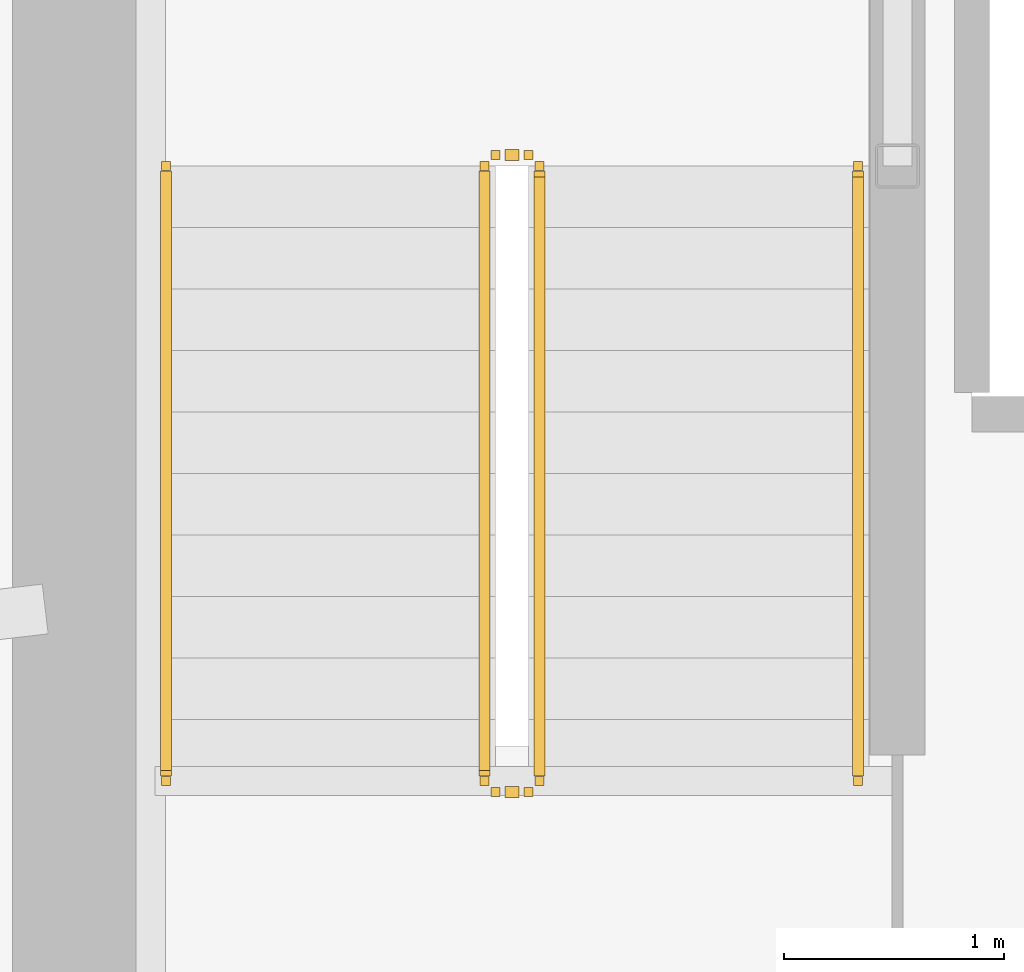
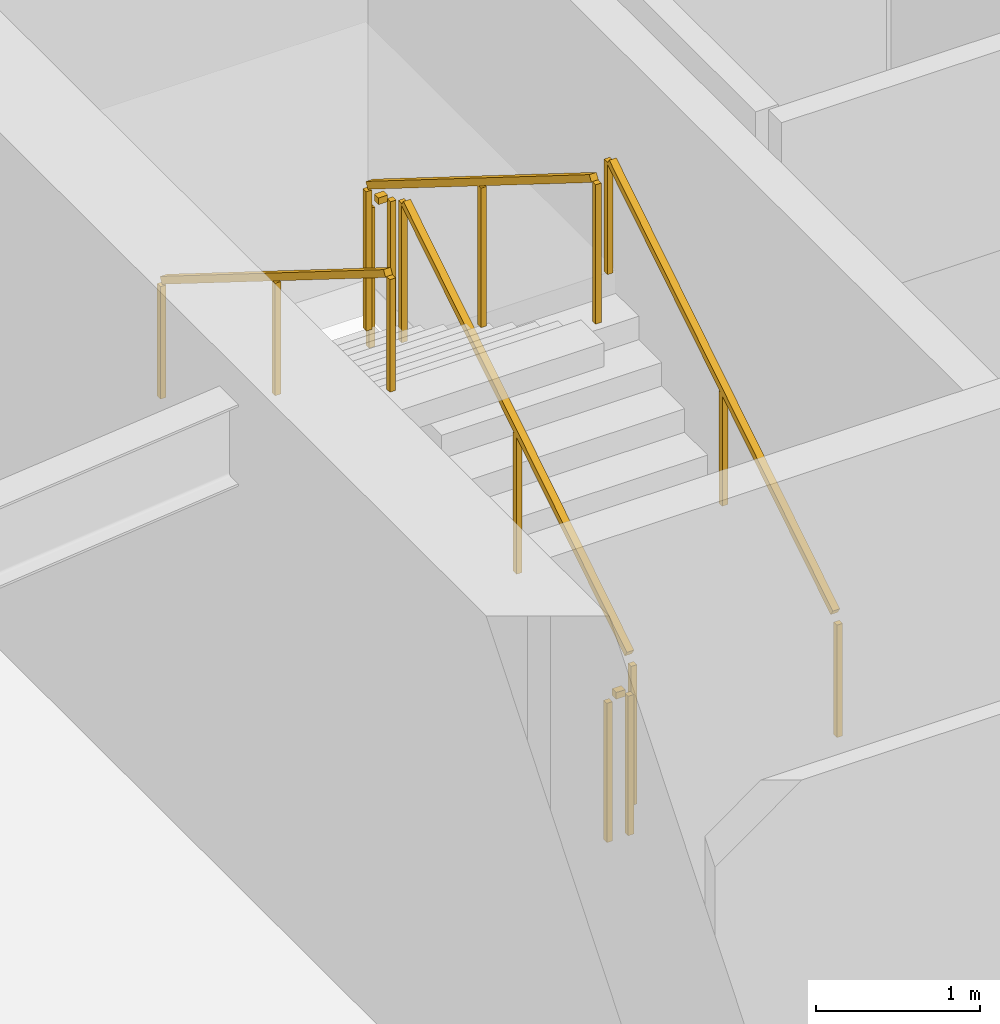
# One storey, part 25 of 30: 6 railings.
"""IFC4 building model written with IfcOpenShell, lengths in metres."""

from ifc_helpers import new_model, si_unit, direction, frame, origin, origin_2d, place, context, subcontext, project, spatial, rectangle, extrude, material, type_object, element, save


model = new_model("IFC4")

# Units and contexts
model_context = context("Model", 3, precision=1e-05, world=origin(), true_north=direction((0.0, 1.0)))
body_context = subcontext(model_context, "Body", "Model", "MODEL_VIEW")
ifc_project = project(units=[si_unit("LENGTHUNIT", "METRE"), si_unit("AREAUNIT", "SQUARE_METRE"), si_unit("VOLUMEUNIT", "CUBIC_METRE"), si_unit("PLANEANGLEUNIT", "RADIAN"), si_unit("MASSUNIT", "GRAM", prefix="KILO")], contexts=[model_context])

# Site, building, storey
site_placement = place(None, origin())
site = spatial("IfcSite", under=ifc_project, at=site_placement, CompositionType="ELEMENT")
building_placement = place(site_placement, origin())
building = spatial("IfcBuilding", under=site, at=building_placement, Name="Kazma Halo Residences", CompositionType="ELEMENT")
storey_placement = place(building_placement, frame((0.0, 0.0, 263.64990234375)))
storey = spatial("IfcBuildingStorey", under=building, at=storey_placement, Name="L66", CompositionType="ELEMENT", Elevation=263.64990234375)

# Railings
ifc_material_1 = material(Name="Painted Steel S355", Category="steel")
railing_type_1 = type_object("IfcRailingType", Name="RLG-STAIR-GRD-1100", PredefinedType="GUARDRAIL", material=ifc_material_1)
railing_1_placement = place(storey_placement, frame((39.550048828125, 39.949951171875, 0.175048828125)))
element("IfcRailing", 1, at=railing_1_placement, inside=storey, type_object=railing_type_1, Name="L66 ST-01 stair guard 1", PredefinedType="GUARDRAIL", context=body_context, shape_type="SweptSolid", body=[
    extrude(rectangle(XDim=0.050048828125, YDim=0.050048828125, at=origin_2d()), frame((0.0, 0.0361328125, 1.09765625), z_axis=(0.0, 0.848002457836, 0.529992293815), x_axis=(-1.0, 0.0, 0.0)), (0.0, 0.0, 1.0), 3.216796875),
    extrude(rectangle(XDim=0.0400390625, YDim=0.0400390625, at=origin_2d()), origin(), (0.0, 0.0, 1.0), 1.0380859375),
    extrude(rectangle(XDim=0.0400390625, YDim=0.0400390625, at=origin_2d()), frame((0.0, 1.39990234375, 0.875)), (0.0, 0.0, 1.0), 1.0380859375),
    extrude(rectangle(XDim=0.0400390625, YDim=0.0400390625, at=origin_2d()), frame((0.0, 2.800048828125, 1.75)), (0.0, 0.0, 1.0), 1.0380859375),
])
railing_2_placement = place(storey_placement, frame((39.5, 42.800048828125, 1.925048828125)))
element("IfcRailing", 2, at=railing_2_placement, inside=storey, type_object=railing_type_1, Name="L66 ST-01 stair guard 2", PredefinedType="GUARDRAIL", context=body_context, shape_type="SweptSolid", body=[
    extrude(rectangle(XDim=0.050048828125, YDim=0.050048828125, at=origin_2d()), frame((-0.04248046875, 0.0, 1.0751953125), z_axis=(-1.0, 0.0, 0.0), x_axis=(0.0, -1.0, 0.0)), (0.0, 0.0, 1.0), 0.06494140625),
    extrude(rectangle(XDim=0.0400390625, YDim=0.0400390625, at=origin_2d()), origin(), (0.0, 0.0, 1.0), 1.0380859375),
    extrude(rectangle(XDim=0.0400390625, YDim=0.0400390625, at=origin_2d()), frame((-0.14990234375, 0.0, 0.0)), (0.0, 0.0, 1.0), 1.0380859375),
])
railing_3_placement = place(storey_placement, frame((39.300048828125, 42.75, 2.10009765625)))
element("IfcRailing", 3, at=railing_3_placement, inside=storey, type_object=railing_type_1, Name="L66 ST-01 stair guard 3", PredefinedType="GUARDRAIL", context=body_context, shape_type="SweptSolid", body=[
    extrude(rectangle(XDim=0.050048828125, YDim=0.050048828125, at=origin_2d()), frame((0.0, -0.0361328125, 1.09765625), z_axis=(0.0, -0.848002457836, 0.529992293815), x_axis=(1.0, 0.0, 0.0)), (0.0, 0.0, 1.0), 3.216796875),
    extrude(rectangle(XDim=0.0400390625, YDim=0.0400390625, at=origin_2d()), origin(), (0.0, 0.0, 1.0), 1.0380859375),
    extrude(rectangle(XDim=0.0400390625, YDim=0.0400390625, at=origin_2d()), frame((0.0, -1.39990234375, 0.875)), (0.0, 0.0, 1.0), 1.0380859375),
    extrude(rectangle(XDim=0.0400390625, YDim=0.0400390625, at=origin_2d()), frame((0.0, -2.800048828125, 1.75)), (0.0, 0.0, 1.0), 1.0380859375),
])
railing_4_placement = place(storey_placement, frame((39.5, 39.89990234375, 0.0)))
element("IfcRailing", 4, at=railing_4_placement, inside=storey, type_object=railing_type_1, Name="L66 ST-01 stair guard 4", PredefinedType="GUARDRAIL", context=body_context, shape_type="SweptSolid", body=[
    extrude(rectangle(XDim=0.050048828125, YDim=0.050048828125, at=origin_2d()), frame((-0.04248046875, 0.0, 1.0751953125), z_axis=(-1.0, 0.0, 0.0), x_axis=(0.0, -1.0, 0.0)), (0.0, 0.0, 1.0), 0.06494140625),
    extrude(rectangle(XDim=0.0400390625, YDim=0.0400390625, at=origin_2d()), origin(), (0.0, 0.0, 1.0), 1.0380859375),
    extrude(rectangle(XDim=0.0400390625, YDim=0.0400390625, at=origin_2d()), frame((-0.14990234375, 0.0, 0.0)), (0.0, 0.0, 1.0), 1.0380859375),
])
ifc_material_2 = material(Name="Brushed Stainless Steel", Category="steel")
railing_type_2 = type_object("IfcRailingType", Name="RLG-STAIR-HND-900", PredefinedType="HANDRAIL", material=ifc_material_2)
railing_5_placement = place(storey_placement, frame((41.0, 39.949951171875, 0.175048828125)))
element("IfcRailing", 5, at=railing_5_placement, inside=storey, type_object=railing_type_2, Name="L66 ST-01 stair handrail 1", PredefinedType="HANDRAIL", context=body_context, shape_type="SweptSolid", body=[
    extrude(rectangle(XDim=0.050048828125, YDim=0.050048828125, at=origin_2d()), frame((0.0, 0.0361328125, 0.8974609375), z_axis=(0.0, 0.848002457836, 0.529992293815), x_axis=(-1.0, 0.0, 0.0)), (0.0, 0.0, 1.0), 3.216796875),
    extrude(rectangle(XDim=0.0400390625, YDim=0.0400390625, at=origin_2d()), origin(), (0.0, 0.0, 1.0), 0.837890625),
    extrude(rectangle(XDim=0.0400390625, YDim=0.0400390625, at=origin_2d()), frame((0.0, 1.39990234375, 0.875)), (0.0, 0.0, 1.0), 0.837890625),
    extrude(rectangle(XDim=0.0400390625, YDim=0.0400390625, at=origin_2d()), frame((0.0, 2.800048828125, 1.75)), (0.0, 0.0, 1.0), 0.837890625),
])
railing_6_placement = place(storey_placement, frame((37.85009765625, 42.75, 2.10009765625)))
element("IfcRailing", 6, at=railing_6_placement, inside=storey, type_object=railing_type_2, Name="L66 ST-01 stair handrail 2", PredefinedType="HANDRAIL", context=body_context, shape_type="SweptSolid", body=[
    extrude(rectangle(XDim=0.050048828125, YDim=0.050048828125, at=origin_2d()), frame((0.0, -0.0361328125, 0.8974609375), z_axis=(0.0, -0.848002457836, 0.529992293815), x_axis=(1.0, 0.0, 0.0)), (0.0, 0.0, 1.0), 3.216796875),
    extrude(rectangle(XDim=0.0400390625, YDim=0.0400390625, at=origin_2d()), origin(), (0.0, 0.0, 1.0), 0.837890625),
    extrude(rectangle(XDim=0.0400390625, YDim=0.0400390625, at=origin_2d()), frame((0.0, -1.39990234375, 0.875)), (0.0, 0.0, 1.0), 0.837890625),
    extrude(rectangle(XDim=0.0400390625, YDim=0.0400390625, at=origin_2d()), frame((0.0, -2.800048828125, 1.75)), (0.0, 0.0, 1.0), 0.837890625),
])

save(model, "model.ifc")
